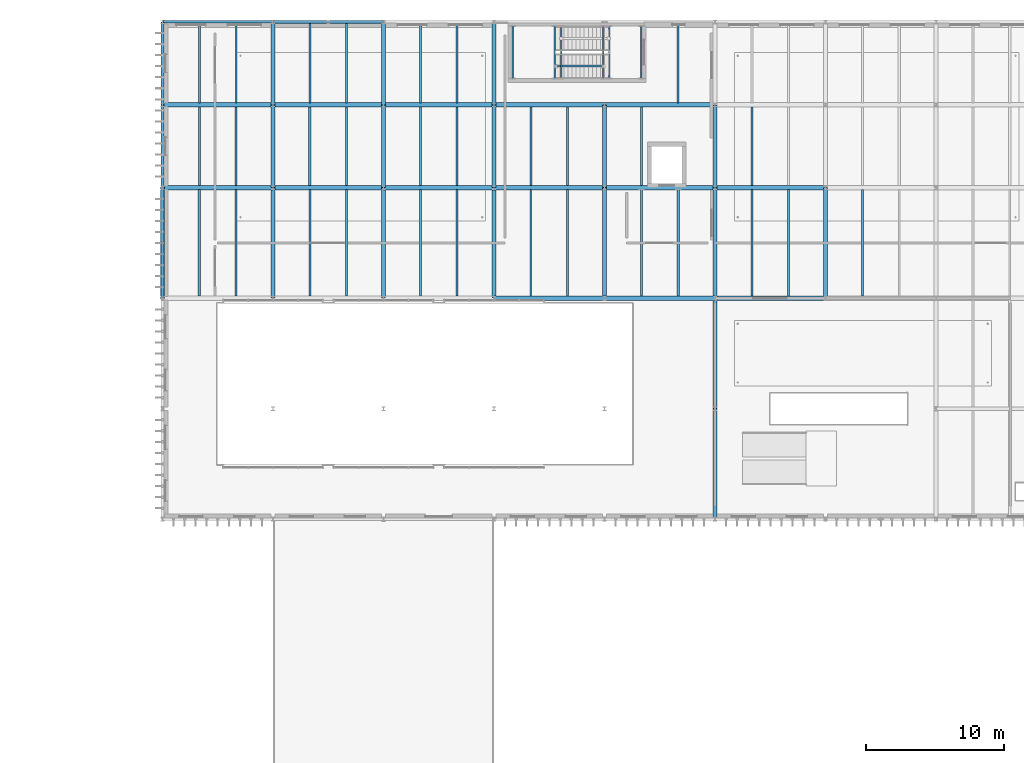
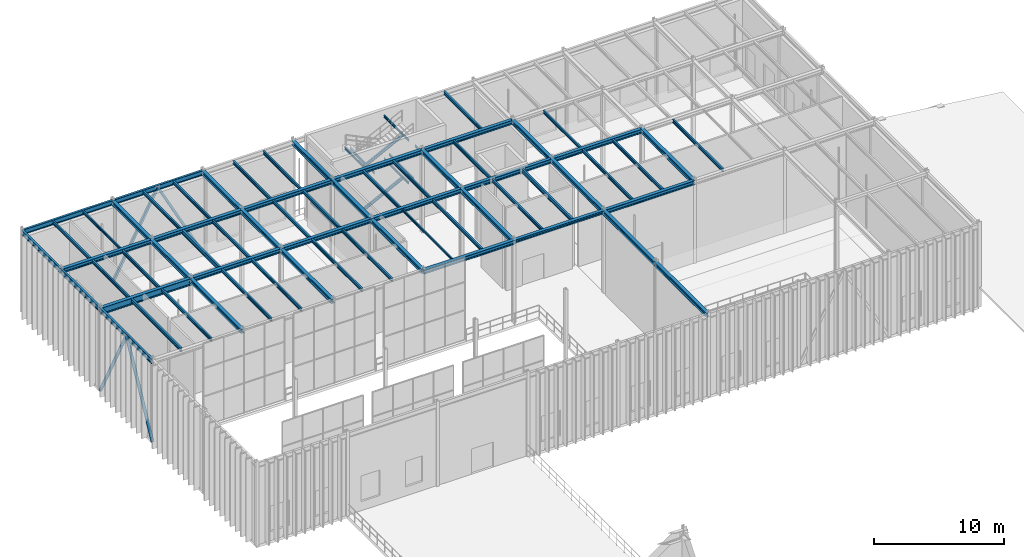
# One storey, part 63 of 138: 74 beams, 6 members.
"""IFC4 building model written with IfcOpenShell, lengths in metres."""

from ifc_helpers import new_model, si_unit, direction, frame, origin, origin_2d, place, context, subcontext, project, spatial, hollow_rectangle, hollow_circle, i_section, extrude, material, material_profile, profile_set, type_object, element, save


model = new_model("IFC4")

# Units and contexts
model_context = context("Model", 3, precision=1e-05, world=origin(), true_north=direction((0.0, 1.0)))
body_context = subcontext(model_context, "Body", "Model", "MODEL_VIEW")
ifc_project = project(units=[si_unit("LENGTHUNIT", "METRE"), si_unit("AREAUNIT", "SQUARE_METRE"), si_unit("VOLUMEUNIT", "CUBIC_METRE"), si_unit("PLANEANGLEUNIT", "RADIAN"), si_unit("MASSUNIT", "GRAM", prefix="KILO")], contexts=[model_context])

# Site, building, storey
site_placement = place(None, origin())
site = spatial("IfcSite", under=ifc_project, at=site_placement, CompositionType="ELEMENT")
building_placement = place(site_placement, origin())
building = spatial("IfcBuilding", under=site, at=building_placement, Name="Sundkrona Museum", CompositionType="ELEMENT")
storey_placement = place(building_placement, frame((0.0, 0.0, 9.60009765625)))
storey = spatial("IfcBuildingStorey", under=building, at=storey_placement, Name="L02", CompositionType="ELEMENT", Elevation=9.60009765625)

# Beams
ifc_material = material(Name="Steel S355J2", Category="steel")
ifc_material_profile_1 = material_profile(ifc_material, i_section(OverallWidth=0.300048828125, OverallDepth=0.2900390625, WebThickness=0.008544921875, FlangeThickness=0.013916015625, FilletRadius=0.027099609375, at=origin_2d()), Name="HEA 300")
ifc_profile_set_1 = profile_set([ifc_material_profile_1], Name="Steel S355J2")
beam_type_1 = type_object("IfcBeamType", Name="B-HEA300", PredefinedType="BEAM", material=ifc_profile_set_1)
beam_1_placement = place(storey_placement, frame((48.0, 94.0, 7.614990234375), z_axis=(1.0, 0.0, 0.0), x_axis=(0.0, 1.0, 0.0)))
element("IfcBeam", 1, at=beam_1_placement, inside=storey, type_object=beam_type_1, Name="L02 Girder X-1215", PredefinedType="BEAM", context=body_context, shape_type="SweptSolid", body=[
    extrude(i_section(OverallWidth=0.300048828125, OverallDepth=0.2900390625, WebThickness=0.008544921875, FlangeThickness=0.013916015625, FilletRadius=0.027099609375, at=origin_2d()), origin(), (0.0, 0.0, 1.0), 8.0),
])
ifc_material_profile_2 = material_profile(ifc_material, i_section(OverallWidth=0.300048828125, OverallDepth=0.389892578125, WebThickness=0.010986328125, FlangeThickness=0.01904296875, FilletRadius=0.027099609375, at=origin_2d()), Name="HEA 400")
ifc_profile_set_2 = profile_set([ifc_material_profile_2], Name="Steel S355J2")
beam_type_2 = type_object("IfcBeamType", Name="B-HEA400", PredefinedType="BEAM", material=ifc_profile_set_2)
for number, where, z_axis, x_axis, name in (
    (2, (40.0, 94.0, 7.56494140625), (1.0, 0.0, 0.0), (0.0, 1.0, 0.0), "L02 Girder X-1214"),
    (3, (56.0, 94.0, 7.56494140625), (1.0, 0.0, 0.0), (0.0, 1.0, 0.0), "L02 Girder X-1216"),
    (4, (24.0, 102.0, 7.56494140625), (1.0, 0.0, 0.0), (0.0, 1.0, 0.0), "L02 Girder X-1225"),
    (5, (32.0, 102.0, 7.56494140625), (1.0, 0.0, 0.0), (0.0, 1.0, 0.0), "L02 Girder X-1226"),
    (6, (40.0, 102.0, 7.56494140625), (1.0, 0.0, 0.0), (0.0, 1.0, 0.0), "L02 Girder X-1227"),
    (7, (48.0, 102.0, 7.56494140625), (1.0, 0.0, 0.0), (0.0, 1.0, 0.0), "L02 Girder X-1228"),
    (8, (56.0, 102.0, 7.56494140625), (1.0, 0.0, 0.0), (0.0, 1.0, 0.0), "L02 Girder X-1229"),
    (9, (16.0, 108.0, 7.56494140625), (1.0, 0.0, 0.0), (0.0, 1.0, 0.0), "L02 Girder X-1237"),
    (10, (24.0, 108.0, 7.56494140625), (1.0, 0.0, 0.0), (0.0, 1.0, 0.0), "L02 Girder X-1238"),
    (11, (32.0, 108.0, 7.56494140625), (1.0, 0.0, 0.0), (0.0, 1.0, 0.0), "L02 Girder X-1239"),
    (12, (40.0, 108.0, 7.56494140625), (1.0, 0.0, 0.0), (0.0, 1.0, 0.0), "L02 Girder X-1240"),
    (13, (48.0, 108.0, 7.56494140625), (1.0, 0.0, 0.0), (0.0, 1.0, 0.0), "L02 Girder X-1241"),
    (14, (24.0, 94.0, 7.56494140625), (0.0, 1.0, 0.0), (-1.0, 0.0, 0.0), "L02 Girder Y-1274"),
):
    element("IfcBeam", number, at=place(storey_placement, frame(where, z_axis=z_axis, x_axis=x_axis)), inside=storey, type_object=beam_type_2, Name=name, PredefinedType="BEAM", context=body_context, shape_type="SweptSolid", body=[
        extrude(i_section(OverallWidth=0.300048828125, OverallDepth=0.389892578125, WebThickness=0.010986328125, FlangeThickness=0.01904296875, FilletRadius=0.027099609375, at=origin_2d()), origin(), (0.0, 0.0, 1.0), 8.0),
    ])
for number, where, z_axis, x_axis, name in (
    (15, (24.0, 102.0, 7.56494140625), (0.0, 1.0, 0.0), (-1.0, 0.0, 0.0), "L02 Girder Y-1275"),
    (16, (24.0, 108.0, 7.56494140625), (0.0, 1.0, 0.0), (-1.0, 0.0, 0.0), "L02 Girder Y-1276"),
):
    element("IfcBeam", number, at=place(storey_placement, frame(where, z_axis=z_axis, x_axis=x_axis)), inside=storey, type_object=beam_type_2, Name=name, PredefinedType="BEAM", context=body_context, shape_type="SweptSolid", body=[
        extrude(i_section(OverallWidth=0.300048828125, OverallDepth=0.389892578125, WebThickness=0.010986328125, FlangeThickness=0.01904296875, FilletRadius=0.027099609375, at=origin_2d()), origin(), (0.0, 0.0, 1.0), 6.0),
    ])
beam_2_placement = place(storey_placement, frame((32.0, 94.0, 7.56494140625), z_axis=(0.0, 1.0, 0.0), x_axis=(-1.0, 0.0, 0.0)))
element("IfcBeam", 17, at=beam_2_placement, inside=storey, type_object=beam_type_2, Name="L02 Girder Y-1279", PredefinedType="BEAM", context=body_context, shape_type="SweptSolid", body=[
    extrude(i_section(OverallWidth=0.300048828125, OverallDepth=0.389892578125, WebThickness=0.010986328125, FlangeThickness=0.01904296875, FilletRadius=0.027099609375, at=origin_2d()), origin(), (0.0, 0.0, 1.0), 8.0),
])
for number, where, z_axis, x_axis, name in (
    (18, (32.0, 102.0, 7.56494140625), (0.0, 1.0, 0.0), (-1.0, 0.0, 0.0), "L02 Girder Y-1280"),
    (19, (32.0, 108.0, 7.56494140625), (0.0, 1.0, 0.0), (-1.0, 0.0, 0.0), "L02 Girder Y-1281"),
):
    element("IfcBeam", number, at=place(storey_placement, frame(where, z_axis=z_axis, x_axis=x_axis)), inside=storey, type_object=beam_type_2, Name=name, PredefinedType="BEAM", context=body_context, shape_type="SweptSolid", body=[
        extrude(i_section(OverallWidth=0.300048828125, OverallDepth=0.389892578125, WebThickness=0.010986328125, FlangeThickness=0.01904296875, FilletRadius=0.027099609375, at=origin_2d()), origin(), (0.0, 0.0, 1.0), 6.0),
    ])
beam_3_placement = place(storey_placement, frame((40.0, 94.0, 7.56494140625), z_axis=(0.0, 1.0, 0.0), x_axis=(-1.0, 0.0, 0.0)))
element("IfcBeam", 20, at=beam_3_placement, inside=storey, type_object=beam_type_2, Name="L02 Girder Y-1285", PredefinedType="BEAM", context=body_context, shape_type="SweptSolid", body=[
    extrude(i_section(OverallWidth=0.300048828125, OverallDepth=0.389892578125, WebThickness=0.010986328125, FlangeThickness=0.01904296875, FilletRadius=0.027099609375, at=origin_2d()), origin(), (0.0, 0.0, 1.0), 8.0),
])
for number, where, z_axis, x_axis, name in (
    (21, (40.0, 102.0, 7.56494140625), (0.0, 1.0, 0.0), (-1.0, 0.0, 0.0), "L02 Girder Y-1286"),
    (22, (40.0, 108.0, 7.56494140625), (0.0, 1.0, 0.0), (-1.0, 0.0, 0.0), "L02 Girder Y-1287"),
):
    element("IfcBeam", number, at=place(storey_placement, frame(where, z_axis=z_axis, x_axis=x_axis)), inside=storey, type_object=beam_type_2, Name=name, PredefinedType="BEAM", context=body_context, shape_type="SweptSolid", body=[
        extrude(i_section(OverallWidth=0.300048828125, OverallDepth=0.389892578125, WebThickness=0.010986328125, FlangeThickness=0.01904296875, FilletRadius=0.027099609375, at=origin_2d()), origin(), (0.0, 0.0, 1.0), 6.0),
    ])
beam_4_placement = place(storey_placement, frame((48.0, 94.0, 7.56494140625), z_axis=(0.0, 1.0, 0.0), x_axis=(-1.0, 0.0, 0.0)))
element("IfcBeam", 23, at=beam_4_placement, inside=storey, type_object=beam_type_2, Name="L02 Girder Y-1288", PredefinedType="BEAM", context=body_context, shape_type="SweptSolid", body=[
    extrude(i_section(OverallWidth=0.300048828125, OverallDepth=0.389892578125, WebThickness=0.010986328125, FlangeThickness=0.01904296875, FilletRadius=0.027099609375, at=origin_2d()), origin(), (0.0, 0.0, 1.0), 8.0),
])
beam_5_placement = place(storey_placement, frame((48.0, 102.0, 7.56494140625), z_axis=(0.0, 1.0, 0.0), x_axis=(-1.0, 0.0, 0.0)))
element("IfcBeam", 24, at=beam_5_placement, inside=storey, type_object=beam_type_2, Name="L02 Girder Y-1289", PredefinedType="BEAM", context=body_context, shape_type="SweptSolid", body=[
    extrude(i_section(OverallWidth=0.300048828125, OverallDepth=0.389892578125, WebThickness=0.010986328125, FlangeThickness=0.01904296875, FilletRadius=0.027099609375, at=origin_2d()), origin(), (0.0, 0.0, 1.0), 6.0),
])
for number, where, z_axis, x_axis, name in (
    (25, (56.0, 78.0, 7.56494140625), (0.0, 1.0, 0.0), (-1.0, 0.0, 0.0), "L02 Girder Y-1290"),
    (26, (56.0, 86.0, 7.56494140625), (0.0, 1.0, 0.0), (-1.0, 0.0, 0.0), "L02 Girder Y-1291"),
    (27, (56.0, 94.0, 7.56494140625), (0.0, 1.0, 0.0), (-1.0, 0.0, 0.0), "L02 Girder Y-1292"),
):
    element("IfcBeam", number, at=place(storey_placement, frame(where, z_axis=z_axis, x_axis=x_axis)), inside=storey, type_object=beam_type_2, Name=name, PredefinedType="BEAM", context=body_context, shape_type="SweptSolid", body=[
        extrude(i_section(OverallWidth=0.300048828125, OverallDepth=0.389892578125, WebThickness=0.010986328125, FlangeThickness=0.01904296875, FilletRadius=0.027099609375, at=origin_2d()), origin(), (0.0, 0.0, 1.0), 8.0),
    ])
beam_6_placement = place(storey_placement, frame((56.0, 102.0, 7.56494140625), z_axis=(0.0, 1.0, 0.0), x_axis=(-1.0, 0.0, 0.0)))
element("IfcBeam", 28, at=beam_6_placement, inside=storey, type_object=beam_type_2, Name="L02 Girder Y-1293", PredefinedType="BEAM", context=body_context, shape_type="SweptSolid", body=[
    extrude(i_section(OverallWidth=0.300048828125, OverallDepth=0.389892578125, WebThickness=0.010986328125, FlangeThickness=0.01904296875, FilletRadius=0.027099609375, at=origin_2d()), origin(), (0.0, 0.0, 1.0), 6.0),
])
beam_7_placement = place(storey_placement, frame((64.0, 94.0, 7.56494140625), z_axis=(0.0, 1.0, 0.0), x_axis=(-1.0, 0.0, 0.0)))
element("IfcBeam", 29, at=beam_7_placement, inside=storey, type_object=beam_type_2, Name="L02 Girder Y-1295", PredefinedType="BEAM", context=body_context, shape_type="SweptSolid", body=[
    extrude(i_section(OverallWidth=0.300048828125, OverallDepth=0.389892578125, WebThickness=0.010986328125, FlangeThickness=0.01904296875, FilletRadius=0.027099609375, at=origin_2d()), origin(), (0.0, 0.0, 1.0), 8.0),
])
ifc_material_profile_3 = material_profile(ifc_material, i_section(OverallWidth=0.300048828125, OverallDepth=0.639892578125, WebThickness=0.013427734375, FlangeThickness=0.02587890625, FilletRadius=0.027099609375, at=origin_2d()), Name="HEA 650")
ifc_profile_set_3 = profile_set([ifc_material_profile_3], Name="Steel S355J2")
beam_type_3 = type_object("IfcBeamType", Name="B-HEA650", PredefinedType="BEAM", material=ifc_profile_set_3)
beam_8_placement = place(storey_placement, frame((16.0, 102.0, 7.43994140625), z_axis=(1.0, 0.0, 0.0), x_axis=(0.0, 1.0, 0.0)))
element("IfcBeam", 30, at=beam_8_placement, inside=storey, type_object=beam_type_3, Name="L02 Girder X-1224", PredefinedType="BEAM", context=body_context, shape_type="SweptSolid", body=[
    extrude(i_section(OverallWidth=0.300048828125, OverallDepth=0.639892578125, WebThickness=0.013427734375, FlangeThickness=0.02587890625, FilletRadius=0.027099609375, at=origin_2d()), origin(), (0.0, 0.0, 1.0), 8.0),
])

# Members
ifc_material_profile_4 = material_profile(ifc_material, hollow_circle(Radius=0.136474609375, WallThickness=0.012451171875, at=origin_2d()), Name="CHS 273.0x12.5")
ifc_profile_set_4 = profile_set([ifc_material_profile_4], Name="Steel S355J2")
member_type_1 = type_object("IfcMemberType", Name="BR-CHS273", PredefinedType="BRACE", material=ifc_profile_set_4)
for number, where, z_axis, x_axis, name in (
    (31, (16.0, 94.0, 0.0), (0.0, 0.468651123165, 0.883383339642), (-1.0, 0.0, 0.0), "CBR-1 L02 Concentric Chevron Brace 023A"),
    (32, (16.0, 102.0, 0.0), (0.0, -0.468651123165, 0.883383339642), (1.0, 0.0, 0.0), "CBR-1 L02 Concentric Chevron Brace 023B"),
):
    element("IfcMember", number, at=place(storey_placement, frame(where, z_axis=z_axis, x_axis=x_axis)), inside=storey, type_object=member_type_1, Name=name, PredefinedType="BRACE", context=body_context, shape_type="SweptSolid", body=[
        extrude(hollow_circle(Radius=0.136474609375, WallThickness=0.012451171875, at=origin_2d()), origin(), (0.0, 0.0, 1.0), 8.53515625),
    ])
ifc_material_profile_5 = material_profile(ifc_material, i_section(OverallWidth=0.135009765625, OverallDepth=0.27001953125, WebThickness=0.006591796875, FlangeThickness=0.01025390625, FilletRadius=0.014892578125, at=origin_2d()), Name="IPE 270")
ifc_profile_set_5 = profile_set([ifc_material_profile_5], Name="Steel S355J2")
member_type_2 = type_object("IfcMemberType", Name="BR-IPE270", PredefinedType="BRACE", material=ifc_profile_set_5)
for number, where, z_axis, x_axis, name in (
    (33, (44.465087890625, 110.800048828125, 1.679931640625), (0.891659684786, 0.0, 0.45270631377), (0.0, 1.0, 0.0), "SRK-1 L02 ST-3 Flight 2 Inclined Carriage Raker"),
    (34, (44.465087890625, 110.800048828125, 5.679931640625), (0.891659684786, 0.0, 0.45270631377), (0.0, 1.0, 0.0), "SRK-1 L02 ST-3 Flight 4 Inclined Carriage Raker"),
):
    element("IfcMember", number, at=place(storey_placement, frame(where, z_axis=z_axis, x_axis=x_axis)), inside=storey, type_object=member_type_2, Name=name, PredefinedType="BRACE", context=body_context, shape_type="SweptSolid", body=[
        extrude(i_section(OverallWidth=0.135009765625, OverallDepth=0.27001953125, WebThickness=0.006591796875, FlangeThickness=0.01025390625, FilletRadius=0.014892578125, at=origin_2d()), origin(), (0.0, 0.0, 1.0), 3.85205078125),
    ])
ifc_material_profile_6 = material_profile(ifc_material, hollow_rectangle(XDim=0.199951171875, YDim=0.199951171875, WallThickness=0.010009765625, at=origin_2d()), Name="SHS 200x200x10.0")
ifc_profile_set_6 = profile_set([ifc_material_profile_6], Name="Steel S355J2")
member_type_3 = type_object("IfcMemberType", Name="BR-SHS200", PredefinedType="BRACE", material=ifc_profile_set_6)
for number, where, z_axis, x_axis, name in (
    (35, (24.0, 114.0, 0.0), (0.468651123165, 0.0, 0.883383339642), (0.0, 1.0, 0.0), "CBR-1 L02 Concentric Chevron Brace 016A"),
    (36, (32.0, 114.0, 0.0), (-0.468651123165, 0.0, 0.883383339642), (0.0, -1.0, 0.0), "CBR-1 L02 Concentric Chevron Brace 016B"),
):
    element("IfcMember", number, at=place(storey_placement, frame(where, z_axis=z_axis, x_axis=x_axis)), inside=storey, type_object=member_type_3, Name=name, PredefinedType="BRACE", context=body_context, shape_type="SweptSolid", body=[
        extrude(hollow_rectangle(XDim=0.199951171875, YDim=0.199951171875, WallThickness=0.010009765625, at=origin_2d()), origin(), (0.0, 0.0, 1.0), 8.53515625),
    ])

# Beams
ifc_material_profile_7 = material_profile(ifc_material, i_section(OverallWidth=0.10009765625, OverallDepth=0.199951171875, WebThickness=0.005615234375, FlangeThickness=0.008544921875, FilletRadius=0.011962890625, at=origin_2d()), Name="IPE 200")
ifc_profile_set_7 = profile_set([ifc_material_profile_7], Name="Steel S355J2")
beam_type_4 = type_object("IfcBeamType", Name="J-IPE200", PredefinedType="JOIST", material=ifc_profile_set_7)
beam_9_placement = place(storey_placement, frame((42.666748046875, 94.14404296875, 7.659912109375), z_axis=(0.0, 1.0, 0.0), x_axis=(-1.0, 0.0, 0.0)))
element("IfcBeam", 37, at=beam_9_placement, inside=storey, type_object=beam_type_4, Name="L02 Composite Joist 0800", PredefinedType="JOIST", context=body_context, shape_type="SweptSolid", body=[
    extrude(i_section(OverallWidth=0.10009765625, OverallDepth=0.199951171875, WebThickness=0.005615234375, FlangeThickness=0.008544921875, FilletRadius=0.011962890625, at=origin_2d()), origin(), (0.0, 0.0, 1.0), 7.7119140625),
])
for number, where, z_axis, x_axis, name in (
    (38, (41.36328125, 109.909912109375, 1.679931640625), (0.0, 1.0, 0.0), (-1.0, 0.0, 0.0), "L02 ST-3 Mid-Landing Trimmer Beam 1A"),
    (39, (44.401611328125, 109.909912109375, 1.679931640625), (0.0, 1.0, 0.0), (-1.0, 0.0, 0.0), "L02 ST-3 Mid-Landing Trimmer Beam 1B"),
    (40, (48.347900390625, 109.909912109375, 3.679931640625), (0.0, 1.0, 0.0), (-1.0, 0.0, 0.0), "L02 ST-3 Mid-Landing Trimmer Beam 2A"),
    (41, (50.652099609375, 109.909912109375, 3.679931640625), (0.0, 1.0, 0.0), (-1.0, 0.0, 0.0), "L02 ST-3 Mid-Landing Trimmer Beam 2B"),
    (42, (41.36328125, 109.909912109375, 5.679931640625), (0.0, 1.0, 0.0), (-1.0, 0.0, 0.0), "L02 ST-3 Mid-Landing Trimmer Beam 3A"),
    (43, (44.401611328125, 109.909912109375, 5.679931640625), (0.0, 1.0, 0.0), (-1.0, 0.0, 0.0), "L02 ST-3 Mid-Landing Trimmer Beam 3B"),
    (44, (47.89990234375, 109.909912109375, 3.423828125), (0.0, 1.0, 0.0), (-1.0, 0.0, 0.0), "L02 ST-3 Flight 2 Arrival Header Beam"),
    (45, (44.864990234375, 109.909912109375, 5.423828125), (0.0, 1.0, 0.0), (-1.0, 0.0, 0.0), "L02 ST-3 Flight 3 Arrival Header Beam"),
    (46, (47.89990234375, 109.909912109375, 7.423828125), (0.0, 1.0, 0.0), (-1.0, 0.0, 0.0), "L02 ST-3 Flight 4 Arrival Header Beam"),
):
    element("IfcBeam", number, at=place(storey_placement, frame(where, z_axis=z_axis, x_axis=x_axis)), inside=storey, type_object=beam_type_4, Name=name, PredefinedType="JOIST", context=body_context, shape_type="SweptSolid", body=[
        extrude(i_section(OverallWidth=0.10009765625, OverallDepth=0.199951171875, WebThickness=0.005615234375, FlangeThickness=0.008544921875, FilletRadius=0.011962890625, at=origin_2d()), origin(), (0.0, 0.0, 1.0), 3.780029296875),
    ])
ifc_material_profile_8 = material_profile(ifc_material, i_section(OverallWidth=0.1201171875, OverallDepth=0.239990234375, WebThickness=0.006103515625, FlangeThickness=0.009765625, FilletRadius=0.014892578125, at=origin_2d()), Name="IPE 240")
ifc_profile_set_8 = profile_set([ifc_material_profile_8], Name="Steel S355J2")
beam_type_5 = type_object("IfcBeamType", Name="J-IPE240", PredefinedType="JOIST", material=ifc_profile_set_8)
beam_10_placement = place(storey_placement, frame((21.333251953125, 108.14404296875, 7.639892578125), z_axis=(0.0, 1.0, 0.0), x_axis=(-1.0, 0.0, 0.0)))
element("IfcBeam", 47, at=beam_10_placement, inside=storey, type_object=beam_type_5, Name="L02 Composite Joist 0785", PredefinedType="JOIST", context=body_context, shape_type="SweptSolid", body=[
    extrude(i_section(OverallWidth=0.1201171875, OverallDepth=0.239990234375, WebThickness=0.006103515625, FlangeThickness=0.009765625, FilletRadius=0.014892578125, at=origin_2d()), origin(), (0.0, 0.0, 1.0), 5.766845703125),
])
ifc_material_profile_9 = material_profile(ifc_material, i_section(OverallWidth=0.135009765625, OverallDepth=0.27001953125, WebThickness=0.006591796875, FlangeThickness=0.01025390625, FilletRadius=0.014892578125, at=origin_2d()), Name="IPE 270")
ifc_profile_set_9 = profile_set([ifc_material_profile_9], Name="Steel S355J2")
beam_type_6 = type_object("IfcBeamType", Name="J-IPE270", PredefinedType="JOIST", material=ifc_profile_set_9)
beam_11_placement = place(storey_placement, frame((58.666748046875, 102.14404296875, 7.625), z_axis=(0.0, 1.0, 0.0), x_axis=(-1.0, 0.0, 0.0)))
element("IfcBeam", 48, at=beam_11_placement, inside=storey, type_object=beam_type_6, Name="L02 Composite Joist 0810", PredefinedType="JOIST", context=body_context, shape_type="SweptSolid", body=[
    extrude(i_section(OverallWidth=0.135009765625, OverallDepth=0.27001953125, WebThickness=0.006591796875, FlangeThickness=0.01025390625, FilletRadius=0.014892578125, at=origin_2d()), origin(), (0.0, 0.0, 1.0), 5.7119140625),
])
ifc_material_profile_10 = material_profile(ifc_material, i_section(OverallWidth=0.14990234375, OverallDepth=0.300048828125, WebThickness=0.007080078125, FlangeThickness=0.0107421875, FilletRadius=0.014892578125, at=origin_2d()), Name="IPE 300")
ifc_profile_set_10 = profile_set([ifc_material_profile_10], Name="Steel S355J2")
beam_type_7 = type_object("IfcBeamType", Name="J-IPE300", PredefinedType="JOIST", material=ifc_profile_set_10)
beam_12_placement = place(storey_placement, frame((21.333251953125, 94.14404296875, 7.60986328125), z_axis=(0.0, 1.0, 0.0), x_axis=(-1.0, 0.0, 0.0)))
element("IfcBeam", 49, at=beam_12_placement, inside=storey, type_object=beam_type_7, Name="L02 Composite Joist 0781", PredefinedType="JOIST", context=body_context, shape_type="SweptSolid", body=[
    extrude(i_section(OverallWidth=0.14990234375, OverallDepth=0.300048828125, WebThickness=0.007080078125, FlangeThickness=0.0107421875, FilletRadius=0.014892578125, at=origin_2d()), origin(), (0.0, 0.0, 1.0), 7.7119140625),
])
for number, where, z_axis, x_axis, name in (
    (50, (18.666748046875, 102.14404296875, 7.60986328125), (0.0, 1.0, 0.0), (-1.0, 0.0, 0.0), "L02 Composite Joist 0782"),
    (51, (21.333251953125, 102.14404296875, 7.60986328125), (0.0, 1.0, 0.0), (-1.0, 0.0, 0.0), "L02 Composite Joist 0783"),
):
    element("IfcBeam", number, at=place(storey_placement, frame(where, z_axis=z_axis, x_axis=x_axis)), inside=storey, type_object=beam_type_7, Name=name, PredefinedType="JOIST", context=body_context, shape_type="SweptSolid", body=[
        extrude(i_section(OverallWidth=0.14990234375, OverallDepth=0.300048828125, WebThickness=0.007080078125, FlangeThickness=0.0107421875, FilletRadius=0.014892578125, at=origin_2d()), origin(), (0.0, 0.0, 1.0), 5.7119140625),
    ])
beam_13_placement = place(storey_placement, frame((18.666748046875, 108.14404296875, 7.60986328125), z_axis=(0.0, 1.0, 0.0), x_axis=(-1.0, 0.0, 0.0)))
element("IfcBeam", 52, at=beam_13_placement, inside=storey, type_object=beam_type_7, Name="L02 Composite Joist 0784", PredefinedType="JOIST", context=body_context, shape_type="SweptSolid", body=[
    extrude(i_section(OverallWidth=0.14990234375, OverallDepth=0.300048828125, WebThickness=0.007080078125, FlangeThickness=0.0107421875, FilletRadius=0.014892578125, at=origin_2d()), origin(), (0.0, 0.0, 1.0), 5.766845703125),
])
for number, where, z_axis, x_axis, name in (
    (53, (26.666748046875, 94.14404296875, 7.60986328125), (0.0, 1.0, 0.0), (-1.0, 0.0, 0.0), "L02 Composite Joist 0788"),
    (54, (29.333251953125, 94.14404296875, 7.60986328125), (0.0, 1.0, 0.0), (-1.0, 0.0, 0.0), "L02 Composite Joist 0789"),
):
    element("IfcBeam", number, at=place(storey_placement, frame(where, z_axis=z_axis, x_axis=x_axis)), inside=storey, type_object=beam_type_7, Name=name, PredefinedType="JOIST", context=body_context, shape_type="SweptSolid", body=[
        extrude(i_section(OverallWidth=0.14990234375, OverallDepth=0.300048828125, WebThickness=0.007080078125, FlangeThickness=0.0107421875, FilletRadius=0.014892578125, at=origin_2d()), origin(), (0.0, 0.0, 1.0), 7.7119140625),
    ])
beam_14_placement = place(storey_placement, frame((29.333251953125, 102.14404296875, 7.60986328125), z_axis=(0.0, 1.0, 0.0), x_axis=(-1.0, 0.0, 0.0)))
element("IfcBeam", 55, at=beam_14_placement, inside=storey, type_object=beam_type_7, Name="L02 Composite Joist 0791", PredefinedType="JOIST", context=body_context, shape_type="SweptSolid", body=[
    extrude(i_section(OverallWidth=0.14990234375, OverallDepth=0.300048828125, WebThickness=0.007080078125, FlangeThickness=0.0107421875, FilletRadius=0.014892578125, at=origin_2d()), origin(), (0.0, 0.0, 1.0), 5.7119140625),
])
for number, where, z_axis, x_axis, name in (
    (56, (26.666748046875, 108.14404296875, 7.60986328125), (0.0, 1.0, 0.0), (-1.0, 0.0, 0.0), "L02 Composite Joist 0792"),
    (57, (29.333251953125, 108.14404296875, 7.60986328125), (0.0, 1.0, 0.0), (-1.0, 0.0, 0.0), "L02 Composite Joist 0793"),
):
    element("IfcBeam", number, at=place(storey_placement, frame(where, z_axis=z_axis, x_axis=x_axis)), inside=storey, type_object=beam_type_7, Name=name, PredefinedType="JOIST", context=body_context, shape_type="SweptSolid", body=[
        extrude(i_section(OverallWidth=0.14990234375, OverallDepth=0.300048828125, WebThickness=0.007080078125, FlangeThickness=0.0107421875, FilletRadius=0.014892578125, at=origin_2d()), origin(), (0.0, 0.0, 1.0), 5.766845703125),
    ])
for number, where, z_axis, x_axis, name in (
    (58, (34.666748046875, 94.14404296875, 7.60986328125), (0.0, 1.0, 0.0), (-1.0, 0.0, 0.0), "L02 Composite Joist 0794"),
    (59, (37.333251953125, 94.14404296875, 7.60986328125), (0.0, 1.0, 0.0), (-1.0, 0.0, 0.0), "L02 Composite Joist 0795"),
):
    element("IfcBeam", number, at=place(storey_placement, frame(where, z_axis=z_axis, x_axis=x_axis)), inside=storey, type_object=beam_type_7, Name=name, PredefinedType="JOIST", context=body_context, shape_type="SweptSolid", body=[
        extrude(i_section(OverallWidth=0.14990234375, OverallDepth=0.300048828125, WebThickness=0.007080078125, FlangeThickness=0.0107421875, FilletRadius=0.014892578125, at=origin_2d()), origin(), (0.0, 0.0, 1.0), 7.7119140625),
    ])
for number, where, z_axis, x_axis, name in (
    (60, (34.666748046875, 102.14404296875, 7.60986328125), (0.0, 1.0, 0.0), (-1.0, 0.0, 0.0), "L02 Composite Joist 0796"),
    (61, (37.333251953125, 102.14404296875, 7.60986328125), (0.0, 1.0, 0.0), (-1.0, 0.0, 0.0), "L02 Composite Joist 0797"),
):
    element("IfcBeam", number, at=place(storey_placement, frame(where, z_axis=z_axis, x_axis=x_axis)), inside=storey, type_object=beam_type_7, Name=name, PredefinedType="JOIST", context=body_context, shape_type="SweptSolid", body=[
        extrude(i_section(OverallWidth=0.14990234375, OverallDepth=0.300048828125, WebThickness=0.007080078125, FlangeThickness=0.0107421875, FilletRadius=0.014892578125, at=origin_2d()), origin(), (0.0, 0.0, 1.0), 5.7119140625),
    ])
for number, where, z_axis, x_axis, name in (
    (62, (34.666748046875, 108.14404296875, 7.60986328125), (0.0, 1.0, 0.0), (-1.0, 0.0, 0.0), "L02 Composite Joist 0798"),
    (63, (37.333251953125, 108.14404296875, 7.60986328125), (0.0, 1.0, 0.0), (-1.0, 0.0, 0.0), "L02 Composite Joist 0799"),
):
    element("IfcBeam", number, at=place(storey_placement, frame(where, z_axis=z_axis, x_axis=x_axis)), inside=storey, type_object=beam_type_7, Name=name, PredefinedType="JOIST", context=body_context, shape_type="SweptSolid", body=[
        extrude(i_section(OverallWidth=0.14990234375, OverallDepth=0.300048828125, WebThickness=0.007080078125, FlangeThickness=0.0107421875, FilletRadius=0.014892578125, at=origin_2d()), origin(), (0.0, 0.0, 1.0), 5.766845703125),
    ])
beam_15_placement = place(storey_placement, frame((45.333251953125, 94.14404296875, 7.60986328125), z_axis=(0.0, 1.0, 0.0), x_axis=(-1.0, 0.0, 0.0)))
element("IfcBeam", 64, at=beam_15_placement, inside=storey, type_object=beam_type_7, Name="L02 Composite Joist 0801", PredefinedType="JOIST", context=body_context, shape_type="SweptSolid", body=[
    extrude(i_section(OverallWidth=0.14990234375, OverallDepth=0.300048828125, WebThickness=0.007080078125, FlangeThickness=0.0107421875, FilletRadius=0.014892578125, at=origin_2d()), origin(), (0.0, 0.0, 1.0), 7.7119140625),
])
for number, where, z_axis, x_axis, name in (
    (65, (42.666748046875, 102.14404296875, 7.60986328125), (0.0, 1.0, 0.0), (-1.0, 0.0, 0.0), "L02 Composite Joist 0802"),
    (66, (45.333251953125, 102.14404296875, 7.60986328125), (0.0, 1.0, 0.0), (-1.0, 0.0, 0.0), "L02 Composite Joist 0803"),
):
    element("IfcBeam", number, at=place(storey_placement, frame(where, z_axis=z_axis, x_axis=x_axis)), inside=storey, type_object=beam_type_7, Name=name, PredefinedType="JOIST", context=body_context, shape_type="SweptSolid", body=[
        extrude(i_section(OverallWidth=0.14990234375, OverallDepth=0.300048828125, WebThickness=0.007080078125, FlangeThickness=0.0107421875, FilletRadius=0.014892578125, at=origin_2d()), origin(), (0.0, 0.0, 1.0), 5.7119140625),
    ])
beam_16_placement = place(storey_placement, frame((50.666748046875, 94.14404296875, 7.60986328125), z_axis=(0.0, 1.0, 0.0), x_axis=(-1.0, 0.0, 0.0)))
element("IfcBeam", 67, at=beam_16_placement, inside=storey, type_object=beam_type_7, Name="L02 Composite Joist 0804", PredefinedType="JOIST", context=body_context, shape_type="SweptSolid", body=[
    extrude(i_section(OverallWidth=0.14990234375, OverallDepth=0.300048828125, WebThickness=0.007080078125, FlangeThickness=0.0107421875, FilletRadius=0.014892578125, at=origin_2d()), origin(), (0.0, 0.0, 1.0), 7.7119140625),
])
beam_17_placement = place(storey_placement, frame((50.666748046875, 102.14404296875, 7.60986328125), z_axis=(0.0, 1.0, 0.0), x_axis=(-1.0, 0.0, 0.0)))
element("IfcBeam", 68, at=beam_17_placement, inside=storey, type_object=beam_type_7, Name="L02 Composite Joist 0806", PredefinedType="JOIST", context=body_context, shape_type="SweptSolid", body=[
    extrude(i_section(OverallWidth=0.14990234375, OverallDepth=0.300048828125, WebThickness=0.007080078125, FlangeThickness=0.0107421875, FilletRadius=0.014892578125, at=origin_2d()), origin(), (0.0, 0.0, 1.0), 5.7119140625),
])
beam_18_placement = place(storey_placement, frame((53.333251953125, 108.14404296875, 7.60986328125), z_axis=(0.0, 1.0, 0.0), x_axis=(-1.0, 0.0, 0.0)))
element("IfcBeam", 69, at=beam_18_placement, inside=storey, type_object=beam_type_7, Name="L02 Composite Joist 0807", PredefinedType="JOIST", context=body_context, shape_type="SweptSolid", body=[
    extrude(i_section(OverallWidth=0.14990234375, OverallDepth=0.300048828125, WebThickness=0.007080078125, FlangeThickness=0.0107421875, FilletRadius=0.014892578125, at=origin_2d()), origin(), (0.0, 0.0, 1.0), 5.766845703125),
])
for number, where, z_axis, x_axis, name in (
    (70, (58.666748046875, 94.14404296875, 7.60986328125), (0.0, 1.0, 0.0), (-1.0, 0.0, 0.0), "L02 Composite Joist 0808"),
    (71, (61.333251953125, 94.14404296875, 7.60986328125), (0.0, 1.0, 0.0), (-1.0, 0.0, 0.0), "L02 Composite Joist 0809"),
    (72, (66.666748046875, 94.14404296875, 7.60986328125), (0.0, 1.0, 0.0), (-1.0, 0.0, 0.0), "L02 Composite Joist 0814"),
):
    element("IfcBeam", number, at=place(storey_placement, frame(where, z_axis=z_axis, x_axis=x_axis)), inside=storey, type_object=beam_type_7, Name=name, PredefinedType="JOIST", context=body_context, shape_type="SweptSolid", body=[
        extrude(i_section(OverallWidth=0.14990234375, OverallDepth=0.300048828125, WebThickness=0.007080078125, FlangeThickness=0.0107421875, FilletRadius=0.014892578125, at=origin_2d()), origin(), (0.0, 0.0, 1.0), 7.7119140625),
    ])
ifc_material_profile_11 = material_profile(ifc_material, i_section(OverallWidth=0.159912109375, OverallDepth=0.330078125, WebThickness=0.007568359375, FlangeThickness=0.011474609375, FilletRadius=0.01806640625, at=origin_2d()), Name="IPE 330")
ifc_profile_set_11 = profile_set([ifc_material_profile_11], Name="Steel S355J2")
beam_type_8 = type_object("IfcBeamType", Name="J-IPE330", PredefinedType="JOIST", material=ifc_profile_set_11)
beam_19_placement = place(storey_placement, frame((18.666748046875, 94.14404296875, 7.594970703125), z_axis=(0.0, 1.0, 0.0), x_axis=(-1.0, 0.0, 0.0)))
element("IfcBeam", 73, at=beam_19_placement, inside=storey, type_object=beam_type_8, Name="L02 Composite Joist 0780", PredefinedType="JOIST", context=body_context, shape_type="SweptSolid", body=[
    extrude(i_section(OverallWidth=0.159912109375, OverallDepth=0.330078125, WebThickness=0.007568359375, FlangeThickness=0.011474609375, FilletRadius=0.01806640625, at=origin_2d()), origin(), (0.0, 0.0, 1.0), 7.7119140625),
])
ifc_material_profile_12 = material_profile(ifc_material, i_section(OverallWidth=0.169921875, OverallDepth=0.360107421875, WebThickness=0.008056640625, FlangeThickness=0.0126953125, FilletRadius=0.01806640625, at=origin_2d()), Name="IPE 360")
ifc_profile_set_12 = profile_set([ifc_material_profile_12], Name="Steel S355J2")
beam_type_9 = type_object("IfcBeamType", Name="J-IPE360", PredefinedType="JOIST", material=ifc_profile_set_12)
beam_20_placement = place(storey_placement, frame((53.333251953125, 94.14404296875, 7.579833984375), z_axis=(0.0, 1.0, 0.0), x_axis=(-1.0, 0.0, 0.0)))
element("IfcBeam", 74, at=beam_20_placement, inside=storey, type_object=beam_type_9, Name="L02 Composite Joist 0805", PredefinedType="JOIST", context=body_context, shape_type="SweptSolid", body=[
    extrude(i_section(OverallWidth=0.169921875, OverallDepth=0.360107421875, WebThickness=0.008056640625, FlangeThickness=0.0126953125, FilletRadius=0.01806640625, at=origin_2d()), origin(), (0.0, 0.0, 1.0), 7.7119140625),
])
ifc_material_profile_13 = material_profile(ifc_material, i_section(OverallWidth=0.179931640625, OverallDepth=0.39990234375, WebThickness=0.008544921875, FlangeThickness=0.013427734375, FilletRadius=0.02099609375, at=origin_2d()), Name="IPE 400")
ifc_profile_set_13 = profile_set([ifc_material_profile_13], Name="Steel S355J2")
beam_type_10 = type_object("IfcBeamType", Name="J-IPE400", PredefinedType="JOIST", material=ifc_profile_set_13)
beam_21_placement = place(storey_placement, frame((26.666748046875, 102.14404296875, 7.559814453125), z_axis=(0.0, 1.0, 0.0), x_axis=(-1.0, 0.0, 0.0)))
element("IfcBeam", 75, at=beam_21_placement, inside=storey, type_object=beam_type_10, Name="L02 Composite Joist 0790", PredefinedType="JOIST", context=body_context, shape_type="SweptSolid", body=[
    extrude(i_section(OverallWidth=0.179931640625, OverallDepth=0.39990234375, WebThickness=0.008544921875, FlangeThickness=0.013427734375, FilletRadius=0.02099609375, at=origin_2d()), origin(), (0.0, 0.0, 1.0), 5.7119140625),
])
ifc_material_profile_14 = material_profile(ifc_material, i_section(OverallWidth=0.18994140625, OverallDepth=0.449951171875, WebThickness=0.009521484375, FlangeThickness=0.0146484375, FilletRadius=0.02099609375, at=origin_2d()), Name="IPE 450")
ifc_profile_set_14 = profile_set([ifc_material_profile_14], Name="Steel S355J2")
beam_type_11 = type_object("IfcBeamType", Name="SP-IPE450", PredefinedType="SPANDREL", material=ifc_profile_set_14)
for number, where, z_axis, x_axis, name in (
    (76, (16.0, 114.0, 7.534912109375), (1.0, 0.0, 0.0), (0.0, 1.0, 0.0), "L02 Girder X-1250"),
    (77, (24.0, 114.0, 7.534912109375), (1.0, 0.0, 0.0), (0.0, 1.0, 0.0), "L02 Girder X-1251"),
    (78, (16.0, 94.0, 7.534912109375), (0.0, 1.0, 0.0), (-1.0, 0.0, 0.0), "L02 Girder Y-1268"),
):
    element("IfcBeam", number, at=place(storey_placement, frame(where, z_axis=z_axis, x_axis=x_axis)), inside=storey, type_object=beam_type_11, Name=name, PredefinedType="SPANDREL", context=body_context, shape_type="SweptSolid", body=[
        extrude(i_section(OverallWidth=0.18994140625, OverallDepth=0.449951171875, WebThickness=0.009521484375, FlangeThickness=0.0146484375, FilletRadius=0.02099609375, at=origin_2d()), origin(), (0.0, 0.0, 1.0), 8.0),
    ])
for number, where, z_axis, x_axis, name in (
    (79, (16.0, 102.0, 7.534912109375), (0.0, 1.0, 0.0), (-1.0, 0.0, 0.0), "L02 Girder Y-1269"),
    (80, (16.0, 108.0, 7.534912109375), (0.0, 1.0, 0.0), (-1.0, 0.0, 0.0), "L02 Girder Y-1270"),
):
    element("IfcBeam", number, at=place(storey_placement, frame(where, z_axis=z_axis, x_axis=x_axis)), inside=storey, type_object=beam_type_11, Name=name, PredefinedType="SPANDREL", context=body_context, shape_type="SweptSolid", body=[
        extrude(i_section(OverallWidth=0.18994140625, OverallDepth=0.449951171875, WebThickness=0.009521484375, FlangeThickness=0.0146484375, FilletRadius=0.02099609375, at=origin_2d()), origin(), (0.0, 0.0, 1.0), 6.0),
    ])

save(model, "model.ifc")
